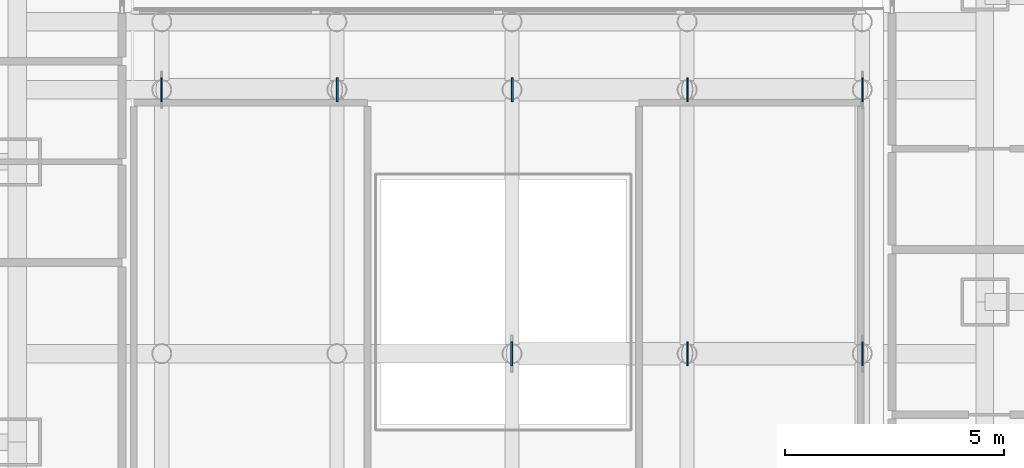
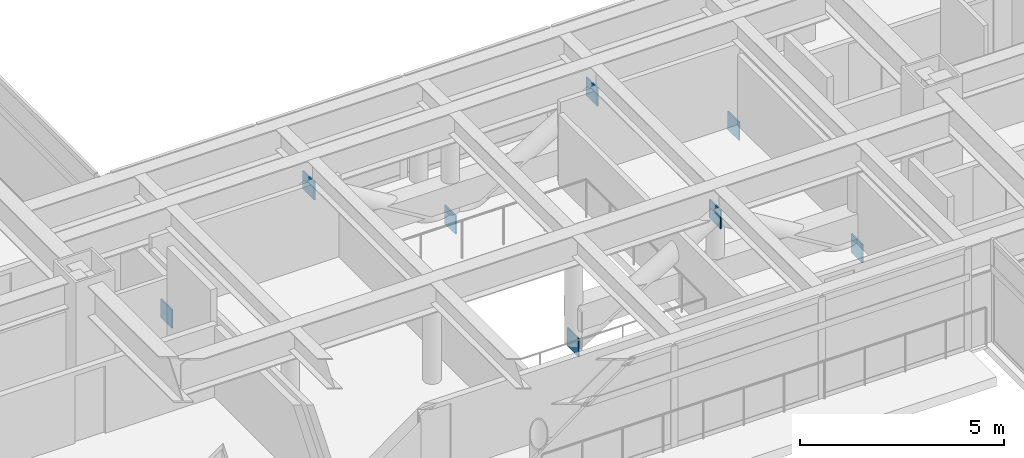
# One storey, part 14 of 27: 8 plates.
"""IFC4 building model written with IfcOpenShell, lengths in metres."""

import ifcopenshell
import ifcopenshell.guid

model = None  # the IFC model being written
_history = None  # IfcOwnerHistory: only IFC2X3 demands one
_inside = {}  # id of a spatial element -> (the spatial element, [elements in it])
_under = {}  # id of a project, library or spatial element -> (it, [spatial elements below it])
_declared = {}  # id of a project -> (the project, [libraries it declares])
_typed = {}  # id of a type object -> (the type object, [elements of that type])
_made_of = {}  # id of a material, layer set ... -> (it, [elements and type objects made of it])


def new_model(schema):
    """Start an empty IFC model of exactly this schema.

    Asked for "IFC4X3", IfcOpenShell would pick the latest addendum, in which some entities
    have other attributes; the version numbers below select the first issue.
    IFC2X3 requires an IfcOwnerHistory on every rooted entity: one is made here for all.
    """
    global model, _history
    if schema == "IFC4X3":
        model = ifcopenshell.file(schema_version=(4, 3, 0, 0))
    else:
        model = ifcopenshell.file(schema=schema)
    _inside.clear()
    _under.clear()
    _declared.clear()
    _typed.clear()
    _made_of.clear()
    _history = None
    if model.schema == "IFC2X3":
        org = make("IfcOrganization", Name="unknown")
        user = make(
            "IfcPersonAndOrganization",
            ThePerson=make("IfcPerson", FamilyName="unknown"),
            TheOrganization=org,
        )
        app = make(
            "IfcApplication",
            ApplicationDeveloper=org,
            Version="unknown",
            ApplicationFullName="unknown",
            ApplicationIdentifier="unknown",
        )
        _history = make(
            "IfcOwnerHistory",
            OwningUser=user,
            OwningApplication=app,
            ChangeAction="ADDED",
            CreationDate=0,
        )
    return model


def make(cls, **values):
    """One entity of the class cls with the attributes given. An attribute that is None is left unset."""
    return model.create_entity(
        cls, **{name: value for name, value in values.items() if value is not None}
    )


def rooted(cls, **values):
    """An entity with a GlobalId (a new one), such as an element, a storey or a relation."""
    return make(cls, GlobalId=ifcopenshell.guid.new(), OwnerHistory=_history, **values)


def si_unit(unit_type, name, prefix=None):
    """IfcSIUnit, for example si_unit("LENGTHUNIT", "METRE", prefix="MILLI")."""
    return make("IfcSIUnit", UnitType=unit_type, Prefix=prefix, Name=name)


def assignment(units):
    """IfcUnitAssignment: the units of a project."""
    return None if units is None else make("IfcUnitAssignment", Units=units)


def point(xyz):
    """IfcCartesianPoint."""
    return None if xyz is None else make("IfcCartesianPoint", Coordinates=xyz)


def direction(xyz):
    """IfcDirection."""
    return None if xyz is None else make("IfcDirection", DirectionRatios=xyz)


def frame(location, z_axis=None, x_axis=None):
    """IfcAxis2Placement3D, a coordinate frame: its origin and axes. An axis left out is left unset."""
    return make(
        "IfcAxis2Placement3D",
        Location=point(location),
        Axis=direction(z_axis),
        RefDirection=direction(x_axis),
    )


def frame_2d(location, x_axis=None):
    """IfcAxis2Placement2D, a coordinate frame in the plane: its origin and x axis."""
    return make(
        "IfcAxis2Placement2D", Location=point(location), RefDirection=direction(x_axis)
    )


def origin():
    """The frame at (0, 0, 0) with its axes left unset."""
    return frame((0.0, 0.0, 0.0))


def origin_2d():
    """The frame at (0, 0) in the plane with its x axis left unset."""
    return frame_2d((0.0, 0.0))


def place(relative_to, where):
    """IfcLocalPlacement: puts the frame where relative to a parent placement (None: the world)."""
    return make(
        "IfcLocalPlacement", PlacementRelTo=relative_to, RelativePlacement=where
    )


def context(
    kind, dimensions, precision=None, world=None, true_north=None, identifier=None
):
    """IfcGeometricRepresentationContext, for example the 3D "Model" context."""
    return make(
        "IfcGeometricRepresentationContext",
        ContextIdentifier=identifier,
        ContextType=kind,
        CoordinateSpaceDimension=dimensions,
        Precision=precision,
        WorldCoordinateSystem=world,
        TrueNorth=true_north,
    )


def subcontext(parent, identifier, kind, view, scale=None):
    """IfcGeometricRepresentationSubContext, for example "Body" below "Model"."""
    return make(
        "IfcGeometricRepresentationSubContext",
        ContextIdentifier=identifier,
        ContextType=kind,
        ParentContext=parent,
        TargetScale=scale,
        TargetView=view,
    )


def project(units=None, contexts=None):
    """IfcProject with its units and contexts."""
    return rooted(
        "IfcProject",
        Name="project",
        RepresentationContexts=contexts,
        UnitsInContext=assignment(units),
    )


def spatial(cls, under=None, at=None, **own):
    """A site, building, storey or space (cls), placed at a placement, below another one or the project."""
    s = rooted(cls, ObjectPlacement=at, **own)
    if under is not None:
        _under.setdefault(under.id(), (under, []))[1].append(s)
    return s


def profile(cls, at=None, kind="AREA", **sizes):
    """A parametric profile (cls). Its sizes go by their IFC names, for example OverallWidth=200.0."""
    return make(cls, ProfileType=kind, Position=at, **sizes)


def rectangle(**sizes):
    """IfcRectangleProfileDef."""
    return profile("IfcRectangleProfileDef", **sizes)


def extrude(swept, where, along, depth):
    """IfcExtrudedAreaSolid: the profile swept, set in the frame where, extruded along a direction by depth."""
    return make(
        "IfcExtrudedAreaSolid",
        SweptArea=swept,
        Position=where,
        ExtrudedDirection=direction(along),
        Depth=depth,
    )


def shape(context_of_items, identifier, shape_type, items):
    """IfcShapeRepresentation: the items that make up one representation, for example the "Body"."""
    return make(
        "IfcShapeRepresentation",
        ContextOfItems=context_of_items,
        RepresentationIdentifier=identifier,
        RepresentationType=shape_type,
        Items=items,
    )


def material(Name=None, Category=None):
    """IfcMaterial."""
    return make("IfcMaterial", Name=Name, Category=Category)


def layer(
    of_material, thickness, ventilated=None, Name=None, Category=None, Priority=None
):
    """IfcMaterialLayer: one layer of a wall or slab, of a material (None: an air gap)."""
    return make(
        "IfcMaterialLayer",
        Material=of_material,
        LayerThickness=thickness,
        IsVentilated=ventilated,
        Name=Name,
        Category=Category,
        Priority=Priority,
    )


def layer_set(layers, Name=None):
    """IfcMaterialLayerSet."""
    return make("IfcMaterialLayerSet", MaterialLayers=layers, LayerSetName=Name)


def made_of(thing, what):
    """Note that an element or type object is made of a material, layer set ...; save() writes the relation."""
    if what is not None:
        _made_of.setdefault(what.id(), (what, []))[1].append(thing)
    return thing


def type_object(cls, material=None, **own):
    """A type object (cls), such as IfcWallType, which elements share."""
    return made_of(rooted(cls, **own), material)


def element(
    cls,
    number,
    at=None,
    inside=None,
    cuts=None,
    type_object=None,
    material=None,
    context=None,
    identifier="Body",
    shape_type=None,
    held_by="IfcProductDefinitionShape",
    body=None,
    shapes=None,
    **own,
):
    """One element of the class cls, such as IfcWall. Its Tag is "e" and its number.

    at: its placement. inside: the storey or other place that contains it. cuts: it is an
    opening in that element (IfcRelVoidsElement). A single representation is given by context,
    identifier, shape_type and body (its items); several are given by shapes. held_by: the class
    of the entity that holds the representations. save() writes the other relations.
    """
    e = rooted(cls, Tag="e%d" % number, ObjectPlacement=at, **own)
    if body is not None:
        shapes = [shape(context, identifier, shape_type, body)]
    if shapes is not None:
        e.Representation = make(held_by, Representations=shapes)
    if inside is not None:
        _inside.setdefault(inside.id(), (inside, []))[1].append(e)
    if cuts is not None:
        rooted(
            "IfcRelVoidsElement", RelatingBuildingElement=cuts, RelatedOpeningElement=e
        )
    if type_object is not None:
        _typed.setdefault(type_object.id(), (type_object, []))[1].append(e)
    return made_of(e, material)


def aggregate(whole, parts):
    """IfcRelAggregates: a whole, such as a stair, and the parts it consists of."""
    return rooted("IfcRelAggregates", RelatingObject=whole, RelatedObjects=parts)


def save(model, path):
    """Write the relations noted so far, then the file.

    IfcRelAggregates (storeys below a building ...), IfcRelContainedInSpatialStructure (elements
    in a storey), IfcRelDefinesByType, IfcRelAssociatesMaterial and IfcRelDeclares: one each for
    every whole, place, type object, material and project.
    """
    for whole, parts in _under.values():
        aggregate(whole, parts)
    for where, things in _inside.values():
        rooted(
            "IfcRelContainedInSpatialStructure",
            RelatedElements=things,
            RelatingStructure=where,
        )
    for kind, things in _typed.values():
        rooted("IfcRelDefinesByType", RelatedObjects=things, RelatingType=kind)
    for what, things in _made_of.values():
        rooted("IfcRelAssociatesMaterial", RelatedObjects=things, RelatingMaterial=what)
    for by, libraries in _declared.values():
        rooted("IfcRelDeclares", RelatingContext=by, RelatedDefinitions=libraries)
    model.write(path)


model = new_model("IFC4")

# Units and contexts
model_context = context("Model", 3, precision=1e-05, world=origin(), true_north=direction((0.0, 1.0)))
body_context = subcontext(model_context, "Body", "Model", "MODEL_VIEW")
ifc_project = project(units=[si_unit("LENGTHUNIT", "METRE"), si_unit("AREAUNIT", "SQUARE_METRE"), si_unit("VOLUMEUNIT", "CUBIC_METRE"), si_unit("PLANEANGLEUNIT", "RADIAN"), si_unit("MASSUNIT", "GRAM", prefix="KILO")], contexts=[model_context])

# Site, building, storey
site_placement = place(None, origin())
site = spatial("IfcSite", under=ifc_project, at=site_placement, CompositionType="ELEMENT")
building_placement = place(site_placement, origin())
building = spatial("IfcBuilding", under=site, at=building_placement, Name="Mirazonda Arch Towers", CompositionType="ELEMENT")
storey_placement = place(building_placement, frame((0.0, 0.0, 95.0)))
storey = spatial("IfcBuildingStorey", under=building, at=storey_placement, Name="L26", CompositionType="ELEMENT", Elevation=95.0)

# Plates
ifc_material = material(Name="Steel ASTM A572 Grade 50", Category="steel")
ifc_layer = layer(ifc_material, 0.030029296875, Name="PLATE-CAP-550x550x30")
ifc_layer_set = layer_set([ifc_layer], Name="Steel ASTM A572 Grade 50")
plate_type = type_object("IfcPlateType", Name="PLATE-CAP-550x550x30", PredefinedType="USERDEFINED", material=ifc_layer_set)
for number, where, z_axis, x_axis, name in (
    (1, (50.193115234375, 26.820068359375, -0.5693359375), (0.0, 0.0, 1.0), (-1.0, 0.0, 0.0), "Steel end closure plate NP-BRG-L26-IS-DG3A"),
    (2, (54.206787109375, 26.820068359375, 1.85205078125), (0.0, 0.0, 1.0), (1.0, 0.0, 0.0), "Steel end closure plate NP-BRG-L26-IS-DG3B"),
    (3, (58.206787109375, 26.820068359375, -0.5693359375), (0.0, 0.0, 1.0), (1.0, 0.0, 0.0), "Steel end closure plate NP-BRG-L26-IS-DG4B"),
    (4, (42.193115234375, 32.85009765625, -0.5693359375), (0.0, 0.0, 1.0), (-1.0, 0.0, 0.0), "Steel end closure plate NP-BRG-L26-IN-DG1A"),
    (5, (46.206787109375, 32.85009765625, 1.85205078125), (0.0, 0.0, 1.0), (1.0, 0.0, 0.0), "Steel end closure plate NP-BRG-L26-IN-DG1B"),
    (6, (50.206787109375, 32.85009765625, -0.5693359375), (0.0, 0.0, 1.0), (1.0, 0.0, 0.0), "Steel end closure plate NP-BRG-L26-IN-DG2B"),
    (7, (54.206787109375, 32.85009765625, 1.85205078125), (0.0, 0.0, 1.0), (1.0, 0.0, 0.0), "Steel end closure plate NP-BRG-L26-IN-DG3B"),
    (8, (58.206787109375, 32.85009765625, -0.5693359375), (0.0, 0.0, 1.0), (1.0, 0.0, 0.0), "Steel end closure plate NP-BRG-L26-IN-DG4B"),
):
    element("IfcPlate", number, at=place(storey_placement, frame(where, z_axis=z_axis, x_axis=x_axis)), inside=storey, type_object=plate_type, Name=name, ObjectType="CAP PLATE", PredefinedType="USERDEFINED", context=body_context, shape_type="SweptSolid", body=[
        extrude(rectangle(XDim=0.0400390625, YDim=0.550048828125, at=origin_2d()), origin(), (0.0, 0.0, 1.0), 0.550048828125),
    ])

save(model, "model.ifc")
